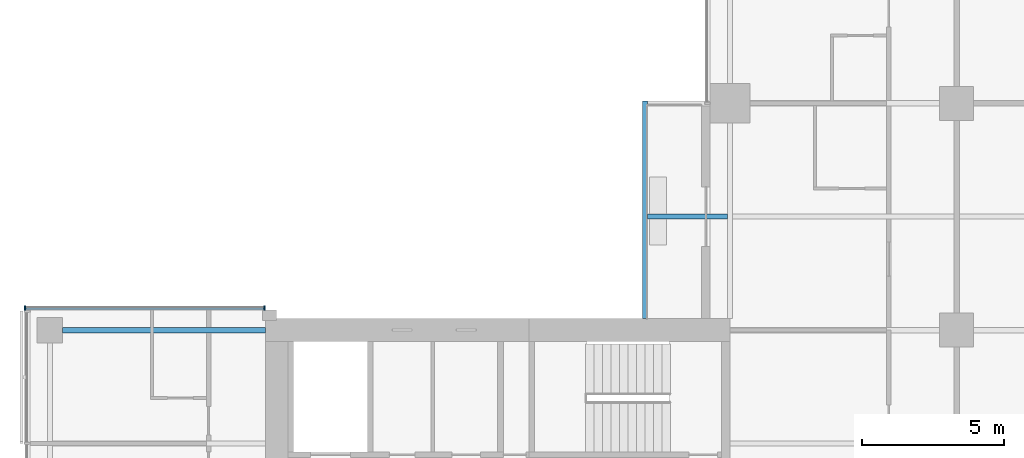
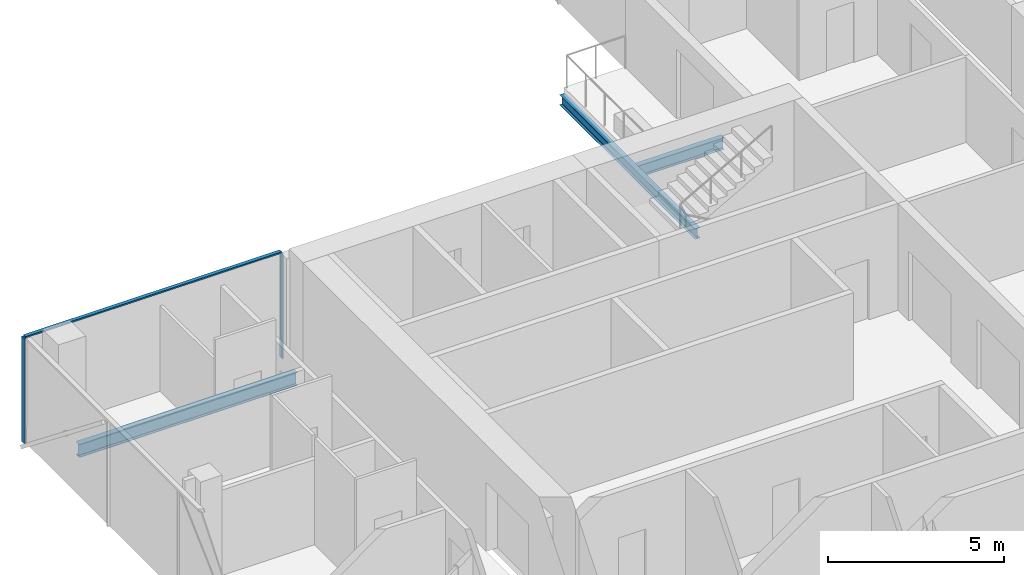
# One storey, part 8 of 27: 3 beams, 3 members, 1 element without a shape of its own.
"""IFC4 building model written with IfcOpenShell, lengths in metres."""

from ifc_helpers import new_model, si_unit, direction, frame, origin, origin_2d, place, context, subcontext, project, spatial, rectangle, i_section, extrude, material, material_profile, profile_set, type_object, element, aggregate, save


model = new_model("IFC4")

# Units and contexts
model_context = context("Model", 3, precision=1e-05, world=origin(), true_north=direction((0.0, 1.0)))
body_context = subcontext(model_context, "Body", "Model", "MODEL_VIEW")
ifc_project = project(units=[si_unit("LENGTHUNIT", "METRE"), si_unit("AREAUNIT", "SQUARE_METRE"), si_unit("VOLUMEUNIT", "CUBIC_METRE"), si_unit("PLANEANGLEUNIT", "RADIAN"), si_unit("MASSUNIT", "GRAM", prefix="KILO")], contexts=[model_context])

# Site, building, storey
site_placement = place(None, origin())
site = spatial("IfcSite", under=ifc_project, at=site_placement, CompositionType="ELEMENT")
building_placement = place(site_placement, origin())
building = spatial("IfcBuilding", under=site, at=building_placement, Name="Crosswind Convention Tower", CompositionType="ELEMENT")
storey_placement = place(building_placement, frame((0.0, 0.0, 90.5)))
storey = spatial("IfcBuildingStorey", under=building, at=storey_placement, Name="L17", CompositionType="ELEMENT", Elevation=90.5)

# Beams
ifc_material_1 = material(Name="Steel S355", Category="steel")
ifc_material_profile_1 = material_profile(ifc_material_1, i_section(OverallWidth=0.177734375, OverallDepth=0.406494140625, WebThickness=0.0078125, FlangeThickness=0.0126953125, FilletRadius=0.01025390625, at=origin_2d()), Name="UB 406x178x60")
ifc_profile_set_1 = profile_set([ifc_material_profile_1], Name="Steel S355")
beam_type_1 = type_object("IfcBeamType", Name="Balcony cantilever UB 406x178x60", PredefinedType="BEAM", material=ifc_profile_set_1)
beam_1_placement = place(storey_placement, frame((112.90478515625, 116.0, -0.483154296875), z_axis=(-1.0, 0.0, 0.0), x_axis=(0.0, -1.0, 0.0)))
element("IfcBeam", 1, at=beam_1_placement, inside=storey, type_object=beam_type_1, Name="B35 L17 balcony cantilever NW 4", PredefinedType="BEAM", context=body_context, shape_type="SweptSolid", body=[
    extrude(i_section(OverallWidth=0.177734375, OverallDepth=0.406494140625, WebThickness=0.0078125, FlangeThickness=0.0126953125, FilletRadius=0.01025390625, at=origin_2d()), origin(), (0.0, 0.0, 1.0), 2.8193359375),
])
ifc_material_profile_2 = material_profile(ifc_material_1, i_section(OverallWidth=0.1708984375, OverallDepth=0.35205078125, WebThickness=0.0068359375, FlangeThickness=0.009765625, FilletRadius=0.01025390625, at=origin_2d()), Name="UB 356x171x45")
ifc_profile_set_2 = profile_set([ifc_material_profile_2], Name="Steel S355")
beam_type_2 = type_object("IfcBeamType", Name="Balcony edge beam UB 356x171x45", PredefinedType="BEAM", material=ifc_profile_set_2)
beam_2_placement = place(storey_placement, frame((110.0, 112.39990234375, -0.4560546875), z_axis=(0.0, 1.0, 0.0), x_axis=(-1.0, 0.0, 0.0)))
element("IfcBeam", 2, at=beam_2_placement, inside=storey, type_object=beam_type_2, Name="B37 L17 balcony edge beam NW 6", PredefinedType="BEAM", context=body_context, shape_type="SweptSolid", body=[
    extrude(i_section(OverallWidth=0.1708984375, OverallDepth=0.35205078125, WebThickness=0.0068359375, FlangeThickness=0.009765625, FilletRadius=0.01025390625, at=origin_2d()), origin(), (0.0, 0.0, 1.0), 7.68896484375),
])
ifc_material_profile_3 = material_profile(ifc_material_1, i_section(OverallWidth=0.1904296875, OverallDepth=0.457275390625, WebThickness=0.009033203125, FlangeThickness=0.014404296875, FilletRadius=0.01025390625, at=origin_2d()), Name="UB 457x191x75")
ifc_profile_set_3 = profile_set([ifc_material_profile_3], Name="Steel S355")
beam_type_3 = type_object("IfcBeamType", Name="Edge beam UB 457x191x75", PredefinedType="SPANDREL", material=ifc_profile_set_3)
beam_3_placement = place(storey_placement, frame((89.449951171875, 112.0, -0.508544921875), z_axis=(1.0, 0.0, 0.0), x_axis=(0.0, 1.0, 0.0)))
element("IfcBeam", 3, at=beam_3_placement, inside=storey, type_object=beam_type_3, Name="B17 L17 edge beam 5", PredefinedType="SPANDREL", context=body_context, shape_type="SweptSolid", body=[
    extrude(i_section(OverallWidth=0.1904296875, OverallDepth=0.457275390625, WebThickness=0.009033203125, FlangeThickness=0.014404296875, FilletRadius=0.01025390625, at=origin_2d()), origin(), (0.0, 0.0, 1.0), 7.150146484375),
])

# Curtain wall, members
ifc_material_2 = material(Name="Aluminium unitised curtain wall", Category="aluminium")
curtain_wall_type = type_object("IfcCurtainWallType", Name="CORE END SLOT WALL 160", PredefinedType="USERDEFINED", material=ifc_material_2)
curtain_wall_placement = place(storey_placement, origin())
curtain_wall = element("IfcCurtainWall", 4, at=curtain_wall_placement, inside=storey, type_object=curtain_wall_type, Name="CW6 L17 W-N.2-1 slot", ObjectType="UNITISED", PredefinedType="USERDEFINED")
ifc_material_3 = material(Name="Aluminium mullion", Category="aluminium")
ifc_material_profile_4 = material_profile(ifc_material_3, rectangle(XDim=0.159912109375, YDim=0.050048828125, at=origin_2d()), Name="AL 160X50")
ifc_profile_set_4 = profile_set([ifc_material_profile_4], Name="Aluminium mullion")
member_type_1 = type_object("IfcMemberType", Name="MULLION 50X160", PredefinedType="MULLION", material=ifc_profile_set_4)
member_1_placement = place(storey_placement, frame((96.574951171875, 112.780029296875, -0.280029296875), z_axis=(0.0, 0.0, 1.0), x_axis=(0.0, 1.0, 0.0)))
member_1 = element("IfcMember", 5, at=member_1_placement, type_object=member_type_1, Name="CW6 mullion 1", PredefinedType="MULLION", context=body_context, shape_type="SweptSolid", body=[
    extrude(rectangle(XDim=0.159912109375, YDim=0.050048828125, at=origin_2d()), origin(), (0.0, 0.0, 1.0), 3.650146484375),
])
member_2_placement = place(storey_placement, frame((88.125, 112.780029296875, -0.280029296875), z_axis=(0.0, 0.0, 1.0), x_axis=(0.0, 1.0, 0.0)))
member_2 = element("IfcMember", 6, at=member_2_placement, type_object=member_type_1, Name="CW6 mullion 2", PredefinedType="MULLION", context=body_context, shape_type="SweptSolid", body=[
    extrude(rectangle(XDim=0.159912109375, YDim=0.050048828125, at=origin_2d()), origin(), (0.0, 0.0, 1.0), 3.650146484375),
])
ifc_material_4 = material(Name="Aluminium transom", Category="aluminium")
ifc_material_profile_5 = material_profile(ifc_material_4, rectangle(XDim=0.1201171875, YDim=0.050048828125, at=origin_2d()), Name="AL 120X50")
ifc_profile_set_5 = profile_set([ifc_material_profile_5], Name="Aluminium transom")
member_type_2 = type_object("IfcMemberType", Name="TRANSOM 50X120", PredefinedType="USERDEFINED", material=ifc_profile_set_5)
member_3_placement = place(storey_placement, frame((96.550048828125, 112.780029296875, 3.39501953125), z_axis=(-1.0, 0.0, 0.0), x_axis=(0.0, -1.0, 0.0)))
member_3 = element("IfcMember", 7, at=member_3_placement, type_object=member_type_2, Name="CW6 transom", ObjectType="TRANSOM", PredefinedType="USERDEFINED", context=body_context, shape_type="SweptSolid", body=[
    extrude(rectangle(XDim=0.1201171875, YDim=0.050048828125, at=origin_2d()), origin(), (0.0, 0.0, 1.0), 8.400146484375),
])
aggregate(curtain_wall, [member_1, member_2, member_3])

save(model, "model.ifc")
